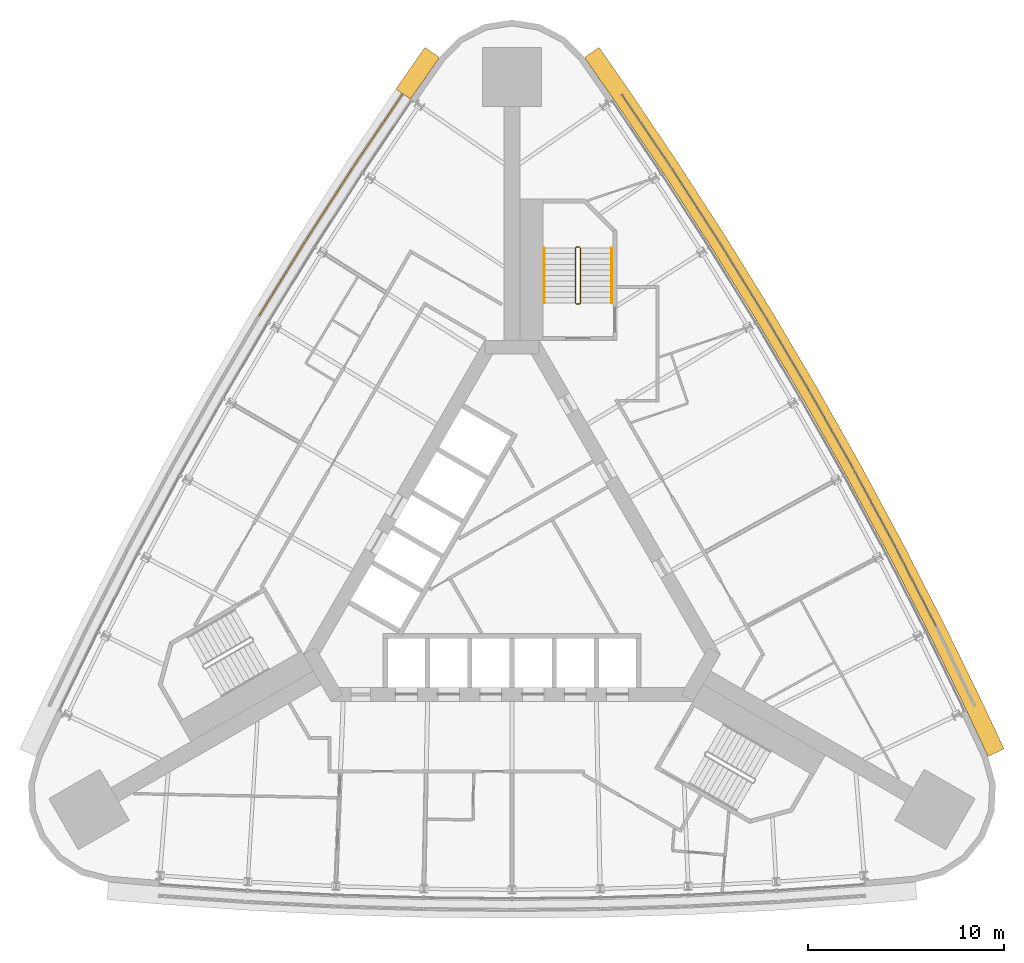
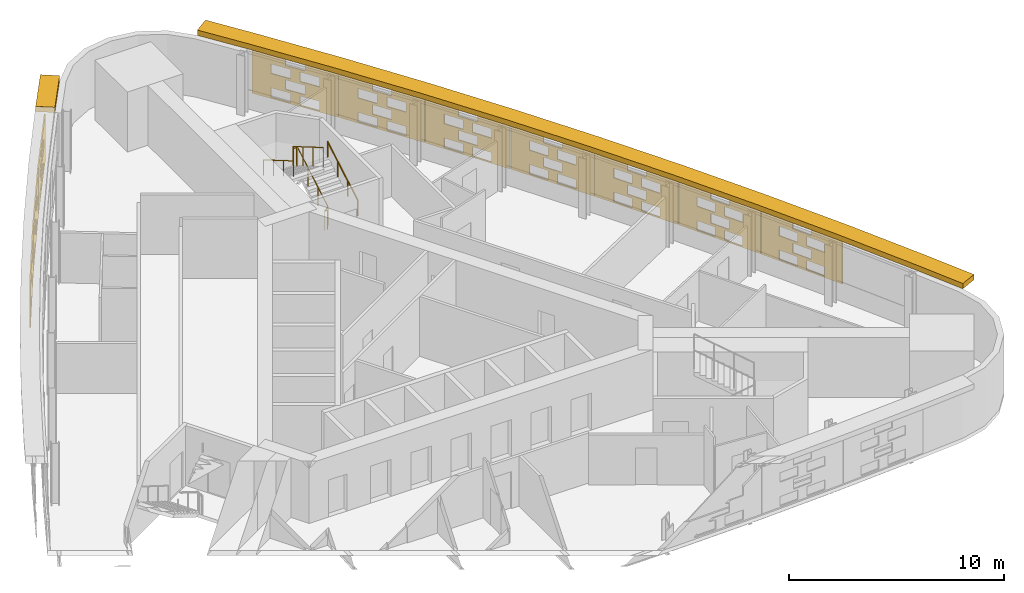
# One storey, part 11 of 11: 12 shading devices, 3 railings.
"""IFC4 building model written with IfcOpenShell, lengths in metres."""

from ifc_helpers import new_model, si_unit, direction, frame, origin, origin_2d, place, context, subcontext, project, spatial, polyline, circle, outline, extrude, material, material_profile, profile_set, type_object, element, save


model = new_model("IFC4")

# Units and contexts
model_context = context("Model", 3, precision=1e-05, world=origin(), true_north=direction((0.0, 1.0)))
body_context = subcontext(model_context, "Body", "Model", "MODEL_VIEW")
ifc_project = project(units=[si_unit("LENGTHUNIT", "METRE"), si_unit("AREAUNIT", "SQUARE_METRE"), si_unit("VOLUMEUNIT", "CUBIC_METRE"), si_unit("PLANEANGLEUNIT", "RADIAN"), si_unit("MASSUNIT", "GRAM", prefix="KILO")], contexts=[model_context])

# Site, building, storey
site_placement = place(None, origin())
site = spatial("IfcSite", under=ifc_project, at=site_placement, CompositionType="ELEMENT")
building_placement = place(site_placement, origin())
building = spatial("IfcBuilding", under=site, at=building_placement, Name="Noor Cloister Tower", CompositionType="ELEMENT")
storey_placement = place(building_placement, frame((0.0, 0.0, 113.10009765625)))
storey = spatial("IfcBuildingStorey", under=building, at=storey_placement, Name="L29", CompositionType="ELEMENT", Elevation=113.10009765625)

# Shading devices
ifc_material_1 = material(Name="Limestone", Category="masonry")
ifc_material_profile = material_profile(ifc_material_1, outline(polyline([(-2.22998046875, -1.35009765625), (2.22998046875, -1.35009765625), (2.22998046875, 1.35009765625), (-2.22998046875, 1.35009765625), (-2.22998046875, -1.35009765625)]), holes=[polyline([(-1.25, -1.282470703125), (-0.25, -1.282470703125), (-0.25, -0.742431640625), (-1.25, -0.742431640625), (-1.25, -1.282470703125)]), polyline([(0.25, -1.282470703125), (1.25, -1.282470703125), (1.25, -0.742431640625), (0.25, -0.742431640625), (0.25, -1.282470703125)]), polyline([(-0.5, -0.607421875), (0.5, -0.607421875), (0.5, -0.0673828125), (-0.5, -0.0673828125), (-0.5, -0.607421875)]), polyline([(-1.25, 0.0673828125), (-0.25, 0.0673828125), (-0.25, 0.607421875), (-1.25, 0.607421875), (-1.25, 0.0673828125)]), polyline([(0.25, 0.0673828125), (1.25, 0.0673828125), (1.25, 0.607421875), (0.25, 0.607421875), (0.25, 0.0673828125)]), polyline([(-0.5, 0.742431640625), (0.5, 0.742431640625), (0.5, 1.282470703125), (-0.5, 1.282470703125), (-0.5, 0.742431640625)])]), Name="Woven screen 28 percent open")
ifc_profile_set = profile_set([ifc_material_profile], Name="Limestone")
shading_device_type_1 = type_object("IfcShadingDeviceType", Name="SCREEN woven limestone 28 percent open", PredefinedType="USERDEFINED", material=ifc_profile_set)
shading_device_1_placement = place(storey_placement, frame((-6.802978515625, 22.134765625, 1.849853515625), z_axis=(-0.828283413128, 0.560309367704, 0.0), x_axis=(-0.560309367704, -0.828283413128, 0.0)))
element("IfcShadingDevice", 1, at=shading_device_1_placement, inside=storey, type_object=shading_device_type_1, Name="SCREEN L29 1", ObjectType="SCREEN", PredefinedType="USERDEFINED", context=body_context, shape_type="SweptSolid", body=[
    extrude(outline(polyline([(-2.22998046875, -1.35009765625), (2.22998046875, -1.35009765625), (2.22998046875, 1.35009765625), (-2.22998046875, 1.35009765625), (-2.22998046875, -1.35009765625)]), holes=[polyline([(-1.25, -1.282470703125), (-0.25, -1.282470703125), (-0.25, -0.742431640625), (-1.25, -0.742431640625), (-1.25, -1.282470703125)]), polyline([(0.25, -1.282470703125), (1.25, -1.282470703125), (1.25, -0.742431640625), (0.25, -0.742431640625), (0.25, -1.282470703125)]), polyline([(-0.5, -0.607421875), (0.5, -0.607421875), (0.5, -0.0673828125), (-0.5, -0.0673828125), (-0.5, -0.607421875)]), polyline([(-1.25, 0.0673828125), (-0.25, 0.0673828125), (-0.25, 0.607421875), (-1.25, 0.607421875), (-1.25, 0.0673828125)]), polyline([(0.25, 0.0673828125), (1.25, 0.0673828125), (1.25, 0.607421875), (0.25, 0.607421875), (0.25, 0.0673828125)]), polyline([(-0.5, 0.742431640625), (0.5, 0.742431640625), (0.5, 1.282470703125), (-0.5, 1.282470703125), (-0.5, 0.742431640625)])]), origin(), (0.0, 0.0, 1.0), 0.06005859375),
])
shading_device_2_placement = place(storey_placement, frame((-9.288330078125, 18.373046875, 1.849853515625), z_axis=(-0.840116811995, 0.54240551454, 0.0), x_axis=(-0.54240551454, -0.840116811995, 0.0)))
element("IfcShadingDevice", 2, at=shading_device_2_placement, inside=storey, type_object=shading_device_type_1, Name="SCREEN L29 2", ObjectType="SCREEN", PredefinedType="USERDEFINED", context=body_context, shape_type="SweptSolid", body=[
    extrude(outline(polyline([(-2.22998046875, -1.35009765625), (2.22998046875, -1.35009765625), (2.22998046875, 1.35009765625), (-2.22998046875, 1.35009765625), (-2.22998046875, -1.35009765625)]), holes=[polyline([(-1.25, -1.282470703125), (-0.25, -1.282470703125), (-0.25, -0.742431640625), (-1.25, -0.742431640625), (-1.25, -1.282470703125)]), polyline([(0.25, -1.282470703125), (1.25, -1.282470703125), (1.25, -0.742431640625), (0.25, -0.742431640625), (0.25, -1.282470703125)]), polyline([(-0.5, -0.607421875), (0.5, -0.607421875), (0.5, -0.0673828125), (-0.5, -0.0673828125), (-0.5, -0.607421875)]), polyline([(-1.25, 0.0673828125), (-0.25, 0.0673828125), (-0.25, 0.607421875), (-1.25, 0.607421875), (-1.25, 0.0673828125)]), polyline([(0.25, 0.0673828125), (1.25, 0.0673828125), (1.25, 0.607421875), (0.25, 0.607421875), (0.25, 0.0673828125)]), polyline([(-0.5, 0.742431640625), (0.5, 0.742431640625), (0.5, 1.282470703125), (-0.5, 1.282470703125), (-0.5, 0.742431640625)])]), origin(), (0.0, 0.0, 1.0), 0.059814453125),
])
shading_device_3_placement = place(storey_placement, frame((-11.697509765625, 14.56201171875, 1.849853515625), z_axis=(-0.850958576931, 0.525232805857, 0.0), x_axis=(-0.525232805857, -0.850958576931, 0.0)))
element("IfcShadingDevice", 3, at=shading_device_3_placement, inside=storey, type_object=shading_device_type_1, Name="SCREEN L29 3", ObjectType="SCREEN", PredefinedType="USERDEFINED", context=body_context, shape_type="SweptSolid", body=[
    extrude(outline(polyline([(-2.22998046875, -1.35009765625), (2.22998046875, -1.35009765625), (2.22998046875, 1.35009765625), (-2.22998046875, 1.35009765625), (-2.22998046875, -1.35009765625)]), holes=[polyline([(-1.25, -1.282470703125), (-0.25, -1.282470703125), (-0.25, -0.742431640625), (-1.25, -0.742431640625), (-1.25, -1.282470703125)]), polyline([(0.25, -1.282470703125), (1.25, -1.282470703125), (1.25, -0.742431640625), (0.25, -0.742431640625), (0.25, -1.282470703125)]), polyline([(-0.5, -0.607421875), (0.5, -0.607421875), (0.5, -0.0673828125), (-0.5, -0.0673828125), (-0.5, -0.607421875)]), polyline([(-1.25, 0.0673828125), (-0.25, 0.0673828125), (-0.25, 0.607421875), (-1.25, 0.607421875), (-1.25, 0.0673828125)]), polyline([(0.25, 0.0673828125), (1.25, 0.0673828125), (1.25, 0.607421875), (0.25, 0.607421875), (0.25, 0.0673828125)]), polyline([(-0.5, 0.742431640625), (0.5, 0.742431640625), (0.5, 1.282470703125), (-0.5, 1.282470703125), (-0.5, 0.742431640625)])]), origin(), (0.0, 0.0, 1.0), 0.06005859375),
])
shading_device_4_placement = place(storey_placement, frame((20.5556640625, -1.142578125, 1.849853515625), z_axis=(0.88947737876, 0.456979203766, 0.0), x_axis=(-0.456979203766, 0.88947737876, 0.0)))
element("IfcShadingDevice", 4, at=shading_device_4_placement, inside=storey, type_object=shading_device_type_1, Name="SCREEN L29 2", ObjectType="SCREEN", PredefinedType="USERDEFINED", context=body_context, shape_type="SweptSolid", body=[
    extrude(outline(polyline([(-2.22998046875, -1.35009765625), (2.22998046875, -1.35009765625), (2.22998046875, 1.35009765625), (-2.22998046875, 1.35009765625), (-2.22998046875, -1.35009765625)]), holes=[polyline([(-1.25, -1.282470703125), (-0.25, -1.282470703125), (-0.25, -0.742431640625), (-1.25, -0.742431640625), (-1.25, -1.282470703125)]), polyline([(0.25, -1.282470703125), (1.25, -1.282470703125), (1.25, -0.742431640625), (0.25, -0.742431640625), (0.25, -1.282470703125)]), polyline([(-0.5, -0.607421875), (0.5, -0.607421875), (0.5, -0.0673828125), (-0.5, -0.0673828125), (-0.5, -0.607421875)]), polyline([(-1.25, 0.0673828125), (-0.25, 0.0673828125), (-0.25, 0.607421875), (-1.25, 0.607421875), (-1.25, 0.0673828125)]), polyline([(0.25, 0.0673828125), (1.25, 0.0673828125), (1.25, 0.607421875), (0.25, 0.607421875), (0.25, 0.0673828125)]), polyline([(-0.5, 0.742431640625), (0.5, 0.742431640625), (0.5, 1.282470703125), (-0.5, 1.282470703125), (-0.5, 0.742431640625)])]), origin(), (0.0, 0.0, 1.0), 0.059814453125),
])
shading_device_5_placement = place(storey_placement, frame((18.459716796875, 2.849365234375, 1.849853515625), z_axis=(0.880210472648, 0.474583526727, 0.0), x_axis=(-0.474583526727, 0.880210472648, 0.0)))
element("IfcShadingDevice", 5, at=shading_device_5_placement, inside=storey, type_object=shading_device_type_1, Name="SCREEN L29 3", ObjectType="SCREEN", PredefinedType="USERDEFINED", context=body_context, shape_type="SweptSolid", body=[
    extrude(outline(polyline([(-2.22998046875, -1.35009765625), (2.22998046875, -1.35009765625), (2.22998046875, 1.35009765625), (-2.22998046875, 1.35009765625), (-2.22998046875, -1.35009765625)]), holes=[polyline([(-1.25, -1.282470703125), (-0.25, -1.282470703125), (-0.25, -0.742431640625), (-1.25, -0.742431640625), (-1.25, -1.282470703125)]), polyline([(0.25, -1.282470703125), (1.25, -1.282470703125), (1.25, -0.742431640625), (0.25, -0.742431640625), (0.25, -1.282470703125)]), polyline([(-0.5, -0.607421875), (0.5, -0.607421875), (0.5, -0.0673828125), (-0.5, -0.0673828125), (-0.5, -0.607421875)]), polyline([(-1.25, 0.0673828125), (-0.25, 0.0673828125), (-0.25, 0.607421875), (-1.25, 0.607421875), (-1.25, 0.0673828125)]), polyline([(0.25, 0.0673828125), (1.25, 0.0673828125), (1.25, 0.607421875), (0.25, 0.607421875), (0.25, 0.0673828125)]), polyline([(-0.5, 0.742431640625), (0.5, 0.742431640625), (0.5, 1.282470703125), (-0.5, 1.282470703125), (-0.5, 0.742431640625)])]), origin(), (0.0, 0.0, 1.0), 0.060302734375),
])
for number, where, z_axis, x_axis, name in (
    (6, (16.2841796875, 6.798583984375, 1.849853515625), (0.87048706901, 0.492191286683, 0.0), (-0.492191286683, 0.87048706901, 0.0), "SCREEN L29 4"),
    (7, (14.02978515625, 10.703369140625, 1.849853515625), (0.86141148773, 0.507907716822, 0.0), (-0.507907716822, 0.86141148773, 0.0), "SCREEN L29 5"),
    (8, (11.697509765625, 14.56201171875, 1.849853515625), (0.850958576931, 0.525232805857, 0.0), (-0.525232805857, 0.850958576931, 0.0), "SCREEN L29 6"),
):
    element("IfcShadingDevice", number, at=place(storey_placement, frame(where, z_axis=z_axis, x_axis=x_axis)), inside=storey, type_object=shading_device_type_1, Name=name, ObjectType="SCREEN", PredefinedType="USERDEFINED", context=body_context, shape_type="SweptSolid", body=[
        extrude(outline(polyline([(-2.22998046875, -1.35009765625), (2.22998046875, -1.35009765625), (2.22998046875, 1.35009765625), (-2.22998046875, 1.35009765625), (-2.22998046875, -1.35009765625)]), holes=[polyline([(-1.25, -1.282470703125), (-0.25, -1.282470703125), (-0.25, -0.742431640625), (-1.25, -0.742431640625), (-1.25, -1.282470703125)]), polyline([(0.25, -1.282470703125), (1.25, -1.282470703125), (1.25, -0.742431640625), (0.25, -0.742431640625), (0.25, -1.282470703125)]), polyline([(-0.5, -0.607421875), (0.5, -0.607421875), (0.5, -0.0673828125), (-0.5, -0.0673828125), (-0.5, -0.607421875)]), polyline([(-1.25, 0.0673828125), (-0.25, 0.0673828125), (-0.25, 0.607421875), (-1.25, 0.607421875), (-1.25, 0.0673828125)]), polyline([(0.25, 0.0673828125), (1.25, 0.0673828125), (1.25, 0.607421875), (0.25, 0.607421875), (0.25, 0.0673828125)]), polyline([(-0.5, 0.742431640625), (0.5, 0.742431640625), (0.5, 1.282470703125), (-0.5, 1.282470703125), (-0.5, 0.742431640625)])]), origin(), (0.0, 0.0, 1.0), 0.06005859375),
    ])
shading_device_6_placement = place(storey_placement, frame((9.288330078125, 18.373046875, 1.849853515625), z_axis=(0.840116811995, 0.54240551454, 0.0), x_axis=(-0.54240551454, 0.840116811995, 0.0)))
element("IfcShadingDevice", 9, at=shading_device_6_placement, inside=storey, type_object=shading_device_type_1, Name="SCREEN L29 7", ObjectType="SCREEN", PredefinedType="USERDEFINED", context=body_context, shape_type="SweptSolid", body=[
    extrude(outline(polyline([(-2.22998046875, -1.35009765625), (2.22998046875, -1.35009765625), (2.22998046875, 1.35009765625), (-2.22998046875, 1.35009765625), (-2.22998046875, -1.35009765625)]), holes=[polyline([(-1.25, -1.282470703125), (-0.25, -1.282470703125), (-0.25, -0.742431640625), (-1.25, -0.742431640625), (-1.25, -1.282470703125)]), polyline([(0.25, -1.282470703125), (1.25, -1.282470703125), (1.25, -0.742431640625), (0.25, -0.742431640625), (0.25, -1.282470703125)]), polyline([(-0.5, -0.607421875), (0.5, -0.607421875), (0.5, -0.0673828125), (-0.5, -0.0673828125), (-0.5, -0.607421875)]), polyline([(-1.25, 0.0673828125), (-0.25, 0.0673828125), (-0.25, 0.607421875), (-1.25, 0.607421875), (-1.25, 0.0673828125)]), polyline([(0.25, 0.0673828125), (1.25, 0.0673828125), (1.25, 0.607421875), (0.25, 0.607421875), (0.25, 0.0673828125)]), polyline([(-0.5, 0.742431640625), (0.5, 0.742431640625), (0.5, 1.282470703125), (-0.5, 1.282470703125), (-0.5, 0.742431640625)])]), origin(), (0.0, 0.0, 1.0), 0.059814453125),
])
shading_device_7_placement = place(storey_placement, frame((6.802978515625, 22.134765625, 1.849853515625), z_axis=(0.828283413128, 0.560309367704, 0.0), x_axis=(-0.560309367704, 0.828283413128, 0.0)))
element("IfcShadingDevice", 10, at=shading_device_7_placement, inside=storey, type_object=shading_device_type_1, Name="SCREEN L29 8", ObjectType="SCREEN", PredefinedType="USERDEFINED", context=body_context, shape_type="SweptSolid", body=[
    extrude(outline(polyline([(-2.22998046875, -1.35009765625), (2.22998046875, -1.35009765625), (2.22998046875, 1.35009765625), (-2.22998046875, 1.35009765625), (-2.22998046875, -1.35009765625)]), holes=[polyline([(-1.25, -1.282470703125), (-0.25, -1.282470703125), (-0.25, -0.742431640625), (-1.25, -0.742431640625), (-1.25, -1.282470703125)]), polyline([(0.25, -1.282470703125), (1.25, -1.282470703125), (1.25, -0.742431640625), (0.25, -0.742431640625), (0.25, -1.282470703125)]), polyline([(-0.5, -0.607421875), (0.5, -0.607421875), (0.5, -0.0673828125), (-0.5, -0.0673828125), (-0.5, -0.607421875)]), polyline([(-1.25, 0.0673828125), (-0.25, 0.0673828125), (-0.25, 0.607421875), (-1.25, 0.607421875), (-1.25, 0.0673828125)]), polyline([(0.25, 0.0673828125), (1.25, 0.0673828125), (1.25, 0.607421875), (0.25, 0.607421875), (0.25, 0.0673828125)]), polyline([(-0.5, 0.742431640625), (0.5, 0.742431640625), (0.5, 1.282470703125), (-0.5, 1.282470703125), (-0.5, 0.742431640625)])]), origin(), (0.0, 0.0, 1.0), 0.06005859375),
])
ifc_material_2 = material(Name="Limestone", Category="masonry")
shading_device_type_2 = type_object("IfcShadingDeviceType", Name="SUNSHADE limestone band 900", PredefinedType="USERDEFINED", material=ifc_material_2)
shading_device_8_placement = place(storey_placement, frame((0.0, 0.0, 3.2998046875)))
element("IfcShadingDevice", 11, at=shading_device_8_placement, inside=storey, type_object=shading_device_type_2, Name="SUNSHADE L29 3", ObjectType="SUNSHADE", PredefinedType="USERDEFINED", context=body_context, shape_type="SweptSolid", body=[
    extrude(outline(polyline([(25.059814453125, -9.350830078125), (23.9638671875, -7.0078125), (21.986083984375, -2.947998046875), (19.92626953125, 1.0732421875), (17.7861328125, 5.052001953125), (15.56640625, 8.9873046875), (13.268310546875, 12.877197265625), (10.892333984375, 16.719970703125), (8.43994140625, 20.514404296875), (5.912841796875, 24.25732421875), (4.431884765625, 26.3779296875), (3.694091796875, 25.862548828125), (5.1708984375, 23.747802734375), (7.68896484375, 20.018310546875), (10.131591796875, 16.239013671875), (12.498046875, 12.41162109375), (14.786865234375, 8.537353515625), (16.99755859375, 4.617919921875), (19.129150390625, 0.65478515625), (21.180908203125, -3.350341796875), (23.151611328125, -7.395751953125), (24.24462890625, -9.732177734375), (25.059814453125, -9.350830078125)])), origin(), (0.0, 0.0, 1.0), 0.300048828125),
])
shading_device_9_placement = place(storey_placement, frame((0.0, 0.0, 3.2998046875)))
element("IfcShadingDevice", 12, at=shading_device_9_placement, inside=storey, type_object=shading_device_type_2, Name="SUNSHADE L29 4", ObjectType="SUNSHADE", PredefinedType="USERDEFINED", context=body_context, shape_type="SweptSolid", body=[
    extrude(outline(polyline([(-4.431884765625, 26.3779296875), (-5.908935546875, 24.26318359375), (-5.1708984375, 23.747802734375), (-3.694091796875, 25.862548828125), (-4.431884765625, 26.3779296875)])), origin(), (0.0, 0.0, 1.0), 0.300048828125),
])

# Railings
ifc_material_3 = material(Name="Stainless steel", Category="steel")
railing_type_1 = type_object("IfcRailingType", Name="Stair guard 1100", PredefinedType="GUARDRAIL", material=ifc_material_3)
railing_1_placement = place(storey_placement, frame((3.435546875, 13.306396484375, 0.0)))
element("IfcRailing", 13, at=railing_1_placement, inside=storey, type_object=railing_type_1, Name="Stair guard ST1 L29", PredefinedType="GUARDRAIL", context=body_context, shape_type="SweptSolid", body=[
    extrude(circle(Radius=0.02392578125, at=origin_2d()), frame((0.0, 0.0, 1.076171875), z_axis=(-1.0, 0.0, 0.0), x_axis=(0.0, -1.0, 0.0)), (0.0, 0.0, 1.0), 0.14990234375),
    extrude(circle(Radius=0.02392578125, at=origin_2d()), frame((-0.14990234375, 0.0, 1.076171875), z_axis=(0.759870394187, 0.190199549216, 0.621627795), x_axis=(-0.242814311512, 0.970072785993, 0.0)), (0.0, 0.0, 1.0), 0.26318359375),
    extrude(circle(Radius=0.02392578125, at=origin_2d()), frame((0.050048828125, 0.050048828125, 1.23974609375), z_axis=(0.0, 0.863393664356, 0.504530851732), x_axis=(-1.0, 0.0, 0.0)), (0.0, 0.0, 1.0), 3.2431640625),
    extrude(circle(Radius=0.02392578125, at=origin_2d()), frame((0.050048828125, 2.85009765625, 2.8759765625), z_axis=(-0.708833529934, 0.705375805398, 0.0), x_axis=(-0.705375805398, -0.708833529934, 0.0)), (0.0, 0.0, 1.0), 0.070556640625),
    extrude(circle(Radius=0.02392578125, at=origin_2d()), frame((0.0, 2.89990234375, 2.8759765625), z_axis=(-1.0, 0.0, 0.0), x_axis=(0.0, -1.0, 0.0)), (0.0, 0.0, 1.0), 0.14990234375),
    extrude(circle(Radius=0.02392578125, at=origin_2d()), frame((-0.14990234375, 2.89990234375, 2.8759765625), z_axis=(-0.280563532951, -0.279194930351, 0.91833234444), x_axis=(0.705375805398, -0.708833529934, 0.0)), (0.0, 0.0, 1.0), 0.178466796875),
    extrude(circle(Radius=0.02392578125, at=origin_2d()), frame((-0.199951171875, 2.85009765625, 3.03955078125), z_axis=(0.0, -0.863393664356, 0.504530851732), x_axis=(1.0, 0.0, 0.0)), (0.0, 0.0, 1.0), 3.2431640625),
    extrude(circle(Radius=0.02099609375, at=origin_2d()), origin(), (0.0, 0.0, 1.0), 1.052001953125),
    extrude(circle(Radius=0.02099609375, at=origin_2d()), frame((-0.14990234375, 0.0, 0.0)), (0.0, 0.0, 1.0), 1.052001953125),
    extrude(circle(Radius=0.02099609375, at=origin_2d()), frame((0.050048828125, 0.050048828125, 0.16357421875)), (0.0, 0.0, 1.0), 1.052001953125),
    extrude(circle(Radius=0.02099609375, at=origin_2d()), frame((0.050048828125, 0.9833984375, 0.708984375)), (0.0, 0.0, 1.0), 1.052001953125),
    extrude(circle(Radius=0.02099609375, at=origin_2d()), frame((0.050048828125, 1.916748046875, 1.25439453125)), (0.0, 0.0, 1.0), 1.052001953125),
    extrude(circle(Radius=0.02099609375, at=origin_2d()), frame((0.050048828125, 2.85009765625, 1.7998046875)), (0.0, 0.0, 1.0), 1.052001953125),
    extrude(circle(Radius=0.02099609375, at=origin_2d()), frame((0.0, 2.89990234375, 1.7998046875)), (0.0, 0.0, 1.0), 1.052001953125),
    extrude(circle(Radius=0.02099609375, at=origin_2d()), frame((-0.14990234375, 2.89990234375, 1.7998046875)), (0.0, 0.0, 1.0), 1.052001953125),
    extrude(circle(Radius=0.02099609375, at=origin_2d()), frame((-0.199951171875, 2.85009765625, 1.963623046875)), (0.0, 0.0, 1.0), 1.052001953125),
    extrude(circle(Radius=0.02099609375, at=origin_2d()), frame((-0.199951171875, 1.916748046875, 2.509033203125)), (0.0, 0.0, 1.0), 1.052001953125),
    extrude(circle(Radius=0.02099609375, at=origin_2d()), frame((-0.199951171875, 0.9833984375, 3.054443359375)), (0.0, 0.0, 1.0), 1.052001953125),
    extrude(circle(Radius=0.02099609375, at=origin_2d()), frame((-0.199951171875, 0.050048828125, 3.599853515625)), (0.0, 0.0, 1.0), 1.052001953125),
])
ifc_material_4 = material(Name="Stainless steel", Category="steel")
railing_type_2 = type_object("IfcRailingType", Name="Stair handrail 900", PredefinedType="HANDRAIL", material=ifc_material_4)
railing_2_placement = place(storey_placement, frame((5.085693359375, 13.3564453125, 0.16357421875)))
element("IfcRailing", 14, at=railing_2_placement, inside=storey, type_object=railing_type_2, Name="Stair handrail ST1 L29 1", PredefinedType="HANDRAIL", context=body_context, shape_type="SweptSolid", body=[
    extrude(circle(Radius=0.02392578125, at=origin_2d()), frame((0.0, 0.0, 0.8759765625), z_axis=(0.0, 0.863393664356, 0.504530851732), x_axis=(-1.0, 0.0, 0.0)), (0.0, 0.0, 1.0), 3.2431640625),
    extrude(circle(Radius=0.02099609375, at=origin_2d()), origin(), (0.0, 0.0, 1.0), 0.851806640625),
    extrude(circle(Radius=0.02099609375, at=origin_2d()), frame((0.0, 0.933349609375, 0.54541015625)), (0.0, 0.0, 1.0), 0.851806640625),
    extrude(circle(Radius=0.02099609375, at=origin_2d()), frame((0.0, 1.86669921875, 1.0908203125)), (0.0, 0.0, 1.0), 0.851806640625),
    extrude(circle(Radius=0.02099609375, at=origin_2d()), frame((0.0, 2.800048828125, 1.63623046875)), (0.0, 0.0, 1.0), 0.851806640625),
])
railing_3_placement = place(storey_placement, frame((1.6357421875, 16.156494140625, 1.963623046875)))
element("IfcRailing", 15, at=railing_3_placement, inside=storey, type_object=railing_type_2, Name="Stair handrail ST1 L29 2", PredefinedType="HANDRAIL", context=body_context, shape_type="SweptSolid", body=[
    extrude(circle(Radius=0.02392578125, at=origin_2d()), frame((0.0, 0.0, 0.8759765625), z_axis=(0.0, -0.863393664356, 0.504530851732), x_axis=(1.0, 0.0, 0.0)), (0.0, 0.0, 1.0), 3.2431640625),
    extrude(circle(Radius=0.02099609375, at=origin_2d()), origin(), (0.0, 0.0, 1.0), 0.851806640625),
    extrude(circle(Radius=0.02099609375, at=origin_2d()), frame((0.0, -0.933349609375, 0.54541015625)), (0.0, 0.0, 1.0), 0.851806640625),
    extrude(circle(Radius=0.02099609375, at=origin_2d()), frame((0.0, -1.86669921875, 1.0908203125)), (0.0, 0.0, 1.0), 0.851806640625),
    extrude(circle(Radius=0.02099609375, at=origin_2d()), frame((0.0, -2.800048828125, 1.63623046875)), (0.0, 0.0, 1.0), 0.851806640625),
])

save(model, "model.ifc")
